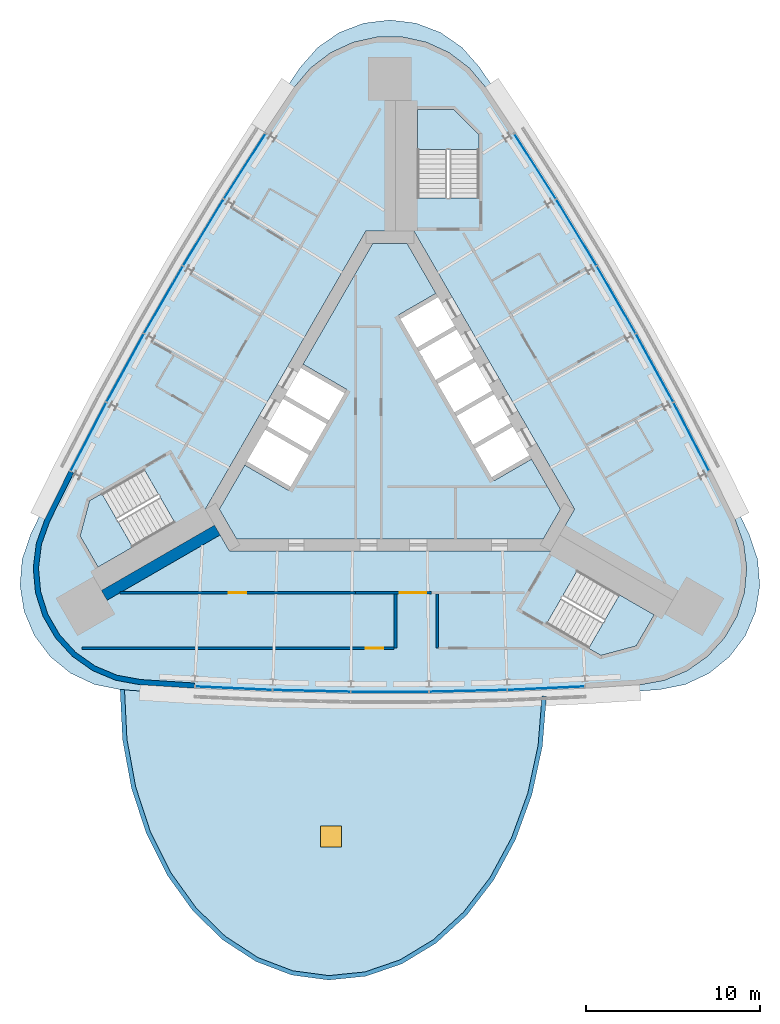
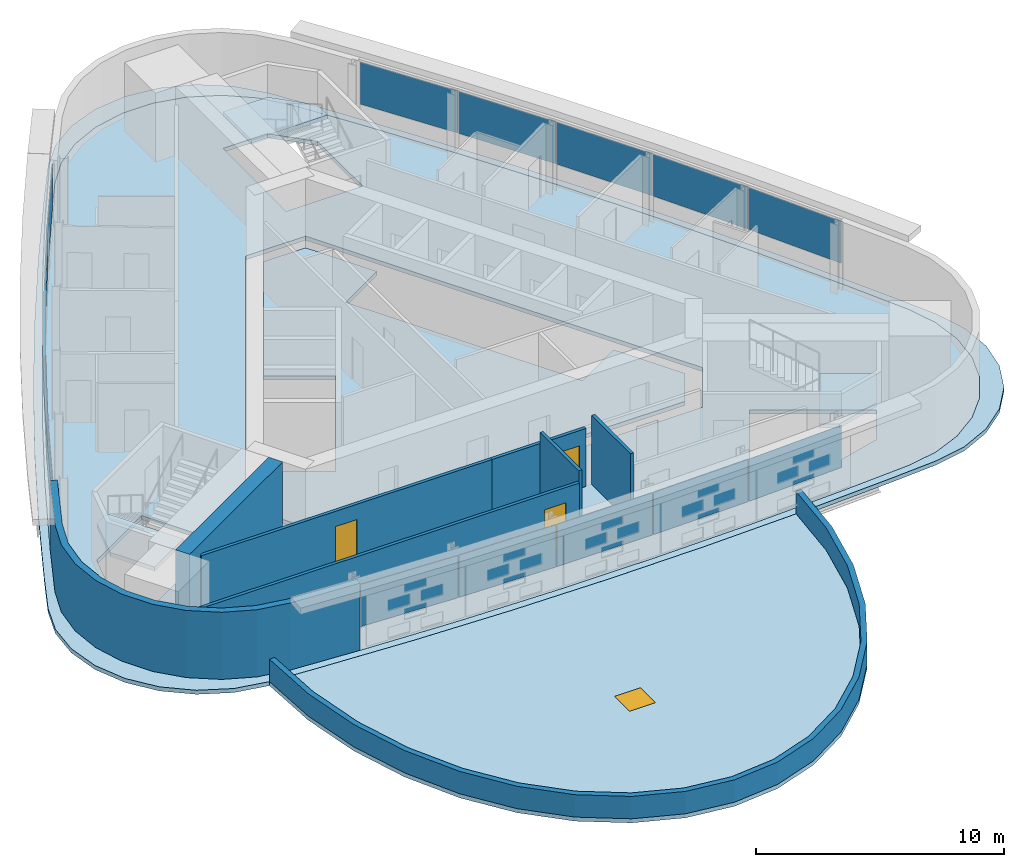
# One storey, part 5 of 9: 15 plates, 8 walls, 7 slabs, 3 doors, 1 window, 4 openings, 6 elements without a shape of their own.
"""IFC4 building model written with IfcOpenShell, lengths in metres."""

import ifcopenshell
import ifcopenshell.guid

model = None  # the IFC model being written
_history = None  # IfcOwnerHistory: only IFC2X3 demands one
_inside = {}  # id of a spatial element -> (the spatial element, [elements in it])
_under = {}  # id of a project, library or spatial element -> (it, [spatial elements below it])
_declared = {}  # id of a project -> (the project, [libraries it declares])
_typed = {}  # id of a type object -> (the type object, [elements of that type])
_made_of = {}  # id of a material, layer set ... -> (it, [elements and type objects made of it])


def new_model(schema):
    """Start an empty IFC model of exactly this schema.

    Asked for "IFC4X3", IfcOpenShell would pick the latest addendum, in which some entities
    have other attributes; the version numbers below select the first issue.
    IFC2X3 requires an IfcOwnerHistory on every rooted entity: one is made here for all.
    """
    global model, _history
    if schema == "IFC4X3":
        model = ifcopenshell.file(schema_version=(4, 3, 0, 0))
    else:
        model = ifcopenshell.file(schema=schema)
    _inside.clear()
    _under.clear()
    _declared.clear()
    _typed.clear()
    _made_of.clear()
    _history = None
    if model.schema == "IFC2X3":
        org = make("IfcOrganization", Name="unknown")
        user = make(
            "IfcPersonAndOrganization",
            ThePerson=make("IfcPerson", FamilyName="unknown"),
            TheOrganization=org,
        )
        app = make(
            "IfcApplication",
            ApplicationDeveloper=org,
            Version="unknown",
            ApplicationFullName="unknown",
            ApplicationIdentifier="unknown",
        )
        _history = make(
            "IfcOwnerHistory",
            OwningUser=user,
            OwningApplication=app,
            ChangeAction="ADDED",
            CreationDate=0,
        )
    return model


def make(cls, **values):
    """One entity of the class cls with the attributes given. An attribute that is None is left unset."""
    return model.create_entity(
        cls, **{name: value for name, value in values.items() if value is not None}
    )


def rooted(cls, **values):
    """An entity with a GlobalId (a new one), such as an element, a storey or a relation."""
    return make(cls, GlobalId=ifcopenshell.guid.new(), OwnerHistory=_history, **values)


def si_unit(unit_type, name, prefix=None):
    """IfcSIUnit, for example si_unit("LENGTHUNIT", "METRE", prefix="MILLI")."""
    return make("IfcSIUnit", UnitType=unit_type, Prefix=prefix, Name=name)


def assignment(units):
    """IfcUnitAssignment: the units of a project."""
    return None if units is None else make("IfcUnitAssignment", Units=units)


def point(xyz):
    """IfcCartesianPoint."""
    return None if xyz is None else make("IfcCartesianPoint", Coordinates=xyz)


def direction(xyz):
    """IfcDirection."""
    return None if xyz is None else make("IfcDirection", DirectionRatios=xyz)


def frame(location, z_axis=None, x_axis=None):
    """IfcAxis2Placement3D, a coordinate frame: its origin and axes. An axis left out is left unset."""
    return make(
        "IfcAxis2Placement3D",
        Location=point(location),
        Axis=direction(z_axis),
        RefDirection=direction(x_axis),
    )


def frame_2d(location, x_axis=None):
    """IfcAxis2Placement2D, a coordinate frame in the plane: its origin and x axis."""
    return make(
        "IfcAxis2Placement2D", Location=point(location), RefDirection=direction(x_axis)
    )


def origin():
    """The frame at (0, 0, 0) with its axes left unset."""
    return frame((0.0, 0.0, 0.0))


def origin_2d():
    """The frame at (0, 0) in the plane with its x axis left unset."""
    return frame_2d((0.0, 0.0))


def place(relative_to, where):
    """IfcLocalPlacement: puts the frame where relative to a parent placement (None: the world)."""
    return make(
        "IfcLocalPlacement", PlacementRelTo=relative_to, RelativePlacement=where
    )


def context(
    kind, dimensions, precision=None, world=None, true_north=None, identifier=None
):
    """IfcGeometricRepresentationContext, for example the 3D "Model" context."""
    return make(
        "IfcGeometricRepresentationContext",
        ContextIdentifier=identifier,
        ContextType=kind,
        CoordinateSpaceDimension=dimensions,
        Precision=precision,
        WorldCoordinateSystem=world,
        TrueNorth=true_north,
    )


def subcontext(parent, identifier, kind, view, scale=None):
    """IfcGeometricRepresentationSubContext, for example "Body" below "Model"."""
    return make(
        "IfcGeometricRepresentationSubContext",
        ContextIdentifier=identifier,
        ContextType=kind,
        ParentContext=parent,
        TargetScale=scale,
        TargetView=view,
    )


def project(units=None, contexts=None):
    """IfcProject with its units and contexts."""
    return rooted(
        "IfcProject",
        Name="project",
        RepresentationContexts=contexts,
        UnitsInContext=assignment(units),
    )


def spatial(cls, under=None, at=None, **own):
    """A site, building, storey or space (cls), placed at a placement, below another one or the project."""
    s = rooted(cls, ObjectPlacement=at, **own)
    if under is not None:
        _under.setdefault(under.id(), (under, []))[1].append(s)
    return s


def polyline(points):
    """IfcPolyline through the points."""
    return make("IfcPolyline", Points=[point(p) for p in points])


def profile(cls, at=None, kind="AREA", **sizes):
    """A parametric profile (cls). Its sizes go by their IFC names, for example OverallWidth=200.0."""
    return make(cls, ProfileType=kind, Position=at, **sizes)


def rectangle(**sizes):
    """IfcRectangleProfileDef."""
    return profile("IfcRectangleProfileDef", **sizes)


def outline(outer, holes=None, kind="AREA"):
    """IfcArbitraryClosedProfileDef: a profile drawn as a closed curve; with holes, ...WithVoids."""
    if holes is None:
        return make("IfcArbitraryClosedProfileDef", ProfileType=kind, OuterCurve=outer)
    return make(
        "IfcArbitraryProfileDefWithVoids",
        ProfileType=kind,
        OuterCurve=outer,
        InnerCurves=holes,
    )


def extrude(swept, where, along, depth):
    """IfcExtrudedAreaSolid: the profile swept, set in the frame where, extruded along a direction by depth."""
    return make(
        "IfcExtrudedAreaSolid",
        SweptArea=swept,
        Position=where,
        ExtrudedDirection=direction(along),
        Depth=depth,
    )


def shape(context_of_items, identifier, shape_type, items):
    """IfcShapeRepresentation: the items that make up one representation, for example the "Body"."""
    return make(
        "IfcShapeRepresentation",
        ContextOfItems=context_of_items,
        RepresentationIdentifier=identifier,
        RepresentationType=shape_type,
        Items=items,
    )


def material(Name=None, Category=None):
    """IfcMaterial."""
    return make("IfcMaterial", Name=Name, Category=Category)


def layer(
    of_material, thickness, ventilated=None, Name=None, Category=None, Priority=None
):
    """IfcMaterialLayer: one layer of a wall or slab, of a material (None: an air gap)."""
    return make(
        "IfcMaterialLayer",
        Material=of_material,
        LayerThickness=thickness,
        IsVentilated=ventilated,
        Name=Name,
        Category=Category,
        Priority=Priority,
    )


def layer_set(layers, Name=None):
    """IfcMaterialLayerSet."""
    return make("IfcMaterialLayerSet", MaterialLayers=layers, LayerSetName=Name)


def made_of(thing, what):
    """Note that an element or type object is made of a material, layer set ...; save() writes the relation."""
    if what is not None:
        _made_of.setdefault(what.id(), (what, []))[1].append(thing)
    return thing


def type_object(cls, material=None, **own):
    """A type object (cls), such as IfcWallType, which elements share."""
    return made_of(rooted(cls, **own), material)


def element(
    cls,
    number,
    at=None,
    inside=None,
    cuts=None,
    type_object=None,
    material=None,
    context=None,
    identifier="Body",
    shape_type=None,
    held_by="IfcProductDefinitionShape",
    body=None,
    shapes=None,
    **own,
):
    """One element of the class cls, such as IfcWall. Its Tag is "e" and its number.

    at: its placement. inside: the storey or other place that contains it. cuts: it is an
    opening in that element (IfcRelVoidsElement). A single representation is given by context,
    identifier, shape_type and body (its items); several are given by shapes. held_by: the class
    of the entity that holds the representations. save() writes the other relations.
    """
    e = rooted(cls, Tag="e%d" % number, ObjectPlacement=at, **own)
    if body is not None:
        shapes = [shape(context, identifier, shape_type, body)]
    if shapes is not None:
        e.Representation = make(held_by, Representations=shapes)
    if inside is not None:
        _inside.setdefault(inside.id(), (inside, []))[1].append(e)
    if cuts is not None:
        rooted(
            "IfcRelVoidsElement", RelatingBuildingElement=cuts, RelatedOpeningElement=e
        )
    if type_object is not None:
        _typed.setdefault(type_object.id(), (type_object, []))[1].append(e)
    return made_of(e, material)


def fill(opening, filler):
    """IfcRelFillsElement: the door or window that sits in an opening."""
    return rooted(
        "IfcRelFillsElement",
        RelatingOpeningElement=opening,
        RelatedBuildingElement=filler,
    )


def aggregate(whole, parts):
    """IfcRelAggregates: a whole, such as a stair, and the parts it consists of."""
    return rooted("IfcRelAggregates", RelatingObject=whole, RelatedObjects=parts)


def save(model, path):
    """Write the relations noted so far, then the file.

    IfcRelAggregates (storeys below a building ...), IfcRelContainedInSpatialStructure (elements
    in a storey), IfcRelDefinesByType, IfcRelAssociatesMaterial and IfcRelDeclares: one each for
    every whole, place, type object, material and project.
    """
    for whole, parts in _under.values():
        aggregate(whole, parts)
    for where, things in _inside.values():
        rooted(
            "IfcRelContainedInSpatialStructure",
            RelatedElements=things,
            RelatingStructure=where,
        )
    for kind, things in _typed.values():
        rooted("IfcRelDefinesByType", RelatedObjects=things, RelatingType=kind)
    for what, things in _made_of.values():
        rooted("IfcRelAssociatesMaterial", RelatedObjects=things, RelatingMaterial=what)
    for by, libraries in _declared.values():
        rooted("IfcRelDeclares", RelatingContext=by, RelatedDefinitions=libraries)
    model.write(path)


model = new_model("IFC4")

# Units and contexts
model_context = context("Model", 3, precision=1e-05, world=origin(), true_north=direction((0.0, 1.0)))
body_context = subcontext(model_context, "Body", "Model", "MODEL_VIEW")
ifc_project = project(units=[si_unit("LENGTHUNIT", "METRE"), si_unit("AREAUNIT", "SQUARE_METRE"), si_unit("VOLUMEUNIT", "CUBIC_METRE"), si_unit("PLANEANGLEUNIT", "RADIAN"), si_unit("MASSUNIT", "GRAM", prefix="KILO")], contexts=[model_context])

# Site, building, storey
site_placement = place(None, origin())
site = spatial("IfcSite", under=ifc_project, at=site_placement, CompositionType="ELEMENT")
building_placement = place(site_placement, origin())
building = spatial("IfcBuilding", under=site, at=building_placement, Name="Noor Cloister Tower", CompositionType="ELEMENT")
storey_placement = place(building_placement, frame((0.0, 0.0, 229.199951171875)))
storey = spatial("IfcBuildingStorey", under=building, at=storey_placement, Name="L59", CompositionType="ELEMENT", Elevation=229.199951171875)

# Slabs
ifc_material_1 = material(Name="Concrete C40/50", Category="concrete")
ifc_layer_1 = layer(ifc_material_1, 0.199951171875)
ifc_layer_set_1 = layer_set([ifc_layer_1], Name="Core floor slab 200 C40/50")
slab_type_1 = type_object("IfcSlabType", Name="Core floor slab 200 C40/50", PredefinedType="FLOOR", material=ifc_layer_set_1)
slab_1_placement = place(storey_placement, frame((0.0, 0.0, -0.199951171875)))
element("IfcSlab", 1, at=slab_1_placement, inside=storey, type_object=slab_type_1, Name="Core floor L59", PredefinedType="FLOOR", context=body_context, shape_type="SweptSolid", body=[
    extrude(outline(polyline([(2.643798828125, 7.877197265625), (0.9814453125, 10.75634765625), (-0.9814453125, 10.75634765625), (-4.993896484375, 3.806884765625), (-2.482421875, 2.35693359375), (-5.832275390625, -3.4453125), (-8.34375, -1.995361328125), (-9.80615234375, -4.5283203125), (-8.82470703125, -6.228271484375), (8.82470703125, -6.228271484375), (9.80615234375, -4.5283203125), (8.143798828125, -1.64892578125), (5.978759765625, -2.89892578125), (0.478759765625, 6.627197265625), (2.643798828125, 7.877197265625)])), origin(), (0.0, 0.0, 1.0), 0.199951171875),
])
ifc_material_2 = material(Name="Concrete C40/50", Category="concrete")
ifc_layer_2 = layer(ifc_material_2, 0.199951171875)
ifc_layer_set_2 = layer_set([ifc_layer_2], Name="Floor slab 200 C40/50")
slab_type_2 = type_object("IfcSlabType", Name="Floor slab 200 C40/50", PredefinedType="FLOOR", material=ifc_layer_set_2)
slab_2_placement = place(storey_placement, frame((0.0, 0.0, -0.199951171875)))
element("IfcSlab", 2, at=slab_2_placement, inside=storey, type_object=slab_type_2, Name="Floor slab L59", PredefinedType="FLOOR", context=body_context, shape_type="SweptSolid", body=[
    extrude(outline(polyline([(5.47802734375, 19.7490234375), (4.55126953125, 20.839599609375), (3.412109375, 21.70556640625), (2.113037109375, 22.306396484375), (0.715576171875, 22.614013671875), (-0.715576171875, 22.614013671875), (-2.113037109375, 22.306396484375), (-3.412109375, 21.70556640625), (-4.55126953125, 20.839599609375), (-5.47802734375, 19.7490234375), (-7.212646484375, 17.147705078125), (-9.63671875, 13.3564453125), (-11.974365234375, 9.511474609375), (-14.224365234375, 5.6142578125), (-16.385498046875, 1.66748046875), (-18.45654296875, -2.32763671875), (-19.842041015625, -5.13037109375), (-20.3232421875, -6.478271484375), (-20.503662109375, -7.89794921875), (-20.37451171875, -9.3232421875), (-19.942138671875, -10.687255859375), (-19.2265625, -11.9267578125), (-18.26123046875, -12.983154296875), (-17.091552734375, -13.8076171875), (-15.77197265625, -14.361328125), (-14.3642578125, -14.61865234375), (-11.243896484375, -14.820068359375), (-6.748779296875, -15.02392578125), (-2.25, -15.125732421875), (2.25, -15.125732421875), (6.748779296875, -15.02392578125), (11.243896484375, -14.820068359375), (14.3642578125, -14.61865234375), (15.77197265625, -14.361328125), (17.091552734375, -13.8076171875), (18.26123046875, -12.983154296875), (19.2265625, -11.9267578125), (19.942138671875, -10.687255859375), (20.37451171875, -9.3232421875), (20.503662109375, -7.89794921875), (20.3232421875, -6.478271484375), (19.842041015625, -5.13037109375), (18.45654296875, -2.32763671875), (16.385498046875, 1.66748046875), (14.224365234375, 5.6142578125), (11.974365234375, 9.511474609375), (9.63671875, 13.3564453125), (7.212646484375, 17.147705078125), (5.47802734375, 19.7490234375)]), holes=[polyline([(8.999755859375, -11.126220703125), (12.131591796875, -12.934326171875), (14.1572265625, -12.3916015625), (15.19091796875, -10.601318359375), (10.774658203125, -8.0517578125), (8.999755859375, -11.126220703125)]), polyline([(-17.81005859375, -6.064697265625), (-16.776611328125, -7.85498046875), (-12.3603515625, -5.305419921875), (-14.13525390625, -2.23095703125), (-16.662841796875, -3.690185546875), (-17.267333984375, -4.039306640625), (-17.81005859375, -6.064697265625)]), polyline([(-10.6142578125, -4.5283203125), (-9.228759765625, -6.92822265625), (9.228759765625, -6.92822265625), (10.6142578125, -4.5283203125), (1.3857421875, 11.456298828125), (-1.3857421875, 11.456298828125), (-10.6142578125, -4.5283203125)]), polyline([(3.65283203125, 18.456298828125), (1.585693359375, 18.456298828125), (1.585693359375, 13.35693359375), (5.135498046875, 13.35693359375), (5.135498046875, 16.9736328125), (3.65283203125, 18.456298828125)])]), origin(), (0.0, 0.0, 1.0), 0.199951171875),
])

# Curtain wall, plates
ifc_material_3 = material(Name="Aluminium 6063-T6 anodised", Category="aluminium")
curtain_wall_type = type_object("IfcCurtainWallType", Name="Ribbon curtain wall, upper tower CW5", PredefinedType="NOTDEFINED", material=ifc_material_3)
curtain_wall_1_placement = place(storey_placement, origin())
curtain_wall_1 = element("IfcCurtainWall", 3, at=curtain_wall_1_placement, inside=storey, type_object=curtain_wall_type, Name="CW5 L59 NW run 1", PredefinedType="NOTDEFINED")
ifc_material_4 = material(Name="Clear laminated glass 2 x 8 mm", Category="glass")
ifc_layer_3 = layer(ifc_material_4, 0.028076171875)
ifc_layer_set_3 = layer_set([ifc_layer_3], Name="Glass panel CW5")
plate_type = type_object("IfcPlateType", Name="Glass panel CW5", PredefinedType="CURTAIN_PANEL", material=ifc_layer_set_3)
plate_1_placement = place(storey_placement, frame((-8.349609375, 15.183837890625, 1.08984375), z_axis=(0.0, 0.0, 1.0), x_axis=(-0.538705499547, -0.842494145237, 0.0)))
plate_1 = element("IfcPlate", 4, at=plate_1_placement, type_object=plate_type, Name="CW5 glass panel 1", PredefinedType="CURTAIN_PANEL", context=body_context, shape_type="SweptSolid", body=[
    extrude(rectangle(XDim=4.413818359375, YDim=0.028076171875, at=origin_2d()), origin(), (0.0, 0.0, 1.0), 2.070068359375),
])
plate_2_placement = place(storey_placement, frame((-10.719970703125, 11.382080078125, 1.08984375), z_axis=(0.0, 0.0, 1.0), x_axis=(-0.519486004363, -0.85447895894, 0.0)))
plate_2 = element("IfcPlate", 5, at=plate_2_placement, type_object=plate_type, Name="CW5 glass panel 2", PredefinedType="CURTAIN_PANEL", context=body_context, shape_type="SweptSolid", body=[
    extrude(rectangle(XDim=4.44775390625, YDim=0.028076171875, at=origin_2d()), origin(), (0.0, 0.0, 1.0), 2.070068359375),
])
plate_3_placement = place(storey_placement, frame((-13.0126953125, 7.512939453125, 1.08984375), z_axis=(0.0, 0.0, 1.0), x_axis=(-0.5, -0.866025403784, 0.0)))
plate_3 = element("IfcPlate", 6, at=plate_3_placement, type_object=plate_type, Name="CW5 glass panel 3", PredefinedType="CURTAIN_PANEL", context=body_context, shape_type="SweptSolid", body=[
    extrude(rectangle(XDim=4.44775390625, YDim=0.028076171875, at=origin_2d()), origin(), (0.0, 0.0, 1.0), 2.070068359375),
])
plate_4_placement = place(storey_placement, frame((-15.217041015625, 3.5927734375, 1.08984375), z_axis=(0.0, 0.0, 1.0), x_axis=(-0.480257483259, -0.877127556159, 0.0)))
plate_4 = element("IfcPlate", 7, at=plate_4_placement, type_object=plate_type, Name="CW5 glass panel 4", PredefinedType="CURTAIN_PANEL", context=body_context, shape_type="SweptSolid", body=[
    extrude(rectangle(XDim=4.44775390625, YDim=0.028076171875, at=origin_2d()), origin(), (0.0, 0.0, 1.0), 2.070068359375),
])
plate_5_placement = place(storey_placement, frame((-17.324462890625, -0.361083984375, 1.08984375), z_axis=(0.0, 0.0, 1.0), x_axis=(-0.460268582541, -0.887779720384, 0.0)))
plate_5 = element("IfcPlate", 8, at=plate_5_placement, type_object=plate_type, Name="CW5 glass panel 5", PredefinedType="CURTAIN_PANEL", context=body_context, shape_type="SweptSolid", body=[
    extrude(rectangle(XDim=4.413818359375, YDim=0.028076171875, at=origin_2d()), origin(), (0.0, 0.0, 1.0), 2.070068359375),
])
aggregate(curtain_wall_1, [plate_1, plate_2, plate_3, plate_4, plate_5])

curtain_wall_2_placement = place(storey_placement, origin())
curtain_wall_2 = element("IfcCurtainWall", 9, at=curtain_wall_2_placement, inside=storey, type_object=curtain_wall_type, Name="CW5 L59 S run 2", PredefinedType="NOTDEFINED")
plate_6_placement = place(storey_placement, frame((-8.974853515625, -14.82275390625, 1.08984375), z_axis=(0.0, 0.0, 1.0), x_axis=(0.998974082088, -0.045285575148, 0.0)))
plate_6 = element("IfcPlate", 10, at=plate_6_placement, type_object=plate_type, Name="CW5 glass panel 1", PredefinedType="CURTAIN_PANEL", context=body_context, shape_type="SweptSolid", body=[
    extrude(rectangle(XDim=4.413818359375, YDim=0.028076171875, at=origin_2d()), origin(), (0.0, 0.0, 1.0), 2.070068359375),
])
plate_7_placement = place(storey_placement, frame((-4.4970703125, -14.974853515625, 1.08984375), z_axis=(0.0, 0.0, 1.0), x_axis=(0.999743487623, -0.022648597219, 0.0)))
plate_7 = element("IfcPlate", 11, at=plate_7_placement, type_object=plate_type, Name="CW5 glass panel 2", PredefinedType="CURTAIN_PANEL", context=body_context, shape_type="SweptSolid", body=[
    extrude(rectangle(XDim=4.44775390625, YDim=0.028076171875, at=origin_2d()), origin(), (0.0, 0.0, 1.0), 2.070068359375),
])
plate_8_placement = place(storey_placement, frame((0.0, -15.02587890625, 1.08984375), z_axis=(0.0, 0.0, 1.0), x_axis=(1.0, 0.0, 0.0)))
plate_8 = element("IfcPlate", 12, at=plate_8_placement, type_object=plate_type, Name="CW5 glass panel 3", PredefinedType="CURTAIN_PANEL", context=body_context, shape_type="SweptSolid", body=[
    extrude(rectangle(XDim=4.44775390625, YDim=0.028076171875, at=origin_2d()), origin(), (0.0, 0.0, 1.0), 2.070068359375),
])
plate_9_placement = place(storey_placement, frame((4.4970703125, -14.974853515625, 1.08984375), z_axis=(0.0, 0.0, 1.0), x_axis=(0.999743487623, 0.022648597219, 0.0)))
plate_9 = element("IfcPlate", 13, at=plate_9_placement, type_object=plate_type, Name="CW5 glass panel 4", PredefinedType="CURTAIN_PANEL", context=body_context, shape_type="SweptSolid", body=[
    extrude(rectangle(XDim=4.44775390625, YDim=0.028076171875, at=origin_2d()), origin(), (0.0, 0.0, 1.0), 2.070068359375),
])
plate_10_placement = place(storey_placement, frame((8.974853515625, -14.82275390625, 1.08984375), z_axis=(0.0, 0.0, 1.0), x_axis=(0.998974082088, 0.045285575148, 0.0)))
plate_10 = element("IfcPlate", 14, at=plate_10_placement, type_object=plate_type, Name="CW5 glass panel 5", PredefinedType="CURTAIN_PANEL", context=body_context, shape_type="SweptSolid", body=[
    extrude(rectangle(XDim=4.413818359375, YDim=0.028076171875, at=origin_2d()), origin(), (0.0, 0.0, 1.0), 2.070068359375),
])
aggregate(curtain_wall_2, [plate_6, plate_7, plate_8, plate_9, plate_10])

curtain_wall_3_placement = place(storey_placement, origin())
curtain_wall_3 = element("IfcCurtainWall", 15, at=curtain_wall_3_placement, inside=storey, type_object=curtain_wall_type, Name="CW5 L59 NE run 3", PredefinedType="NOTDEFINED")
plate_11_placement = place(storey_placement, frame((17.324462890625, -0.361083984375, 1.08984375), z_axis=(0.0, 0.0, 1.0), x_axis=(-0.460268582541, 0.887779720384, 0.0)))
plate_11 = element("IfcPlate", 16, at=plate_11_placement, type_object=plate_type, Name="CW5 glass panel 1", PredefinedType="CURTAIN_PANEL", context=body_context, shape_type="SweptSolid", body=[
    extrude(rectangle(XDim=4.413818359375, YDim=0.028076171875, at=origin_2d()), origin(), (0.0, 0.0, 1.0), 2.070068359375),
])
plate_12_placement = place(storey_placement, frame((15.217041015625, 3.5927734375, 1.08984375), z_axis=(0.0, 0.0, 1.0), x_axis=(-0.480257483259, 0.877127556159, 0.0)))
plate_12 = element("IfcPlate", 17, at=plate_12_placement, type_object=plate_type, Name="CW5 glass panel 2", PredefinedType="CURTAIN_PANEL", context=body_context, shape_type="SweptSolid", body=[
    extrude(rectangle(XDim=4.44775390625, YDim=0.028076171875, at=origin_2d()), origin(), (0.0, 0.0, 1.0), 2.070068359375),
])
plate_13_placement = place(storey_placement, frame((13.0126953125, 7.512939453125, 1.08984375), z_axis=(0.0, 0.0, 1.0), x_axis=(-0.5, 0.866025403784, 0.0)))
plate_13 = element("IfcPlate", 18, at=plate_13_placement, type_object=plate_type, Name="CW5 glass panel 3", PredefinedType="CURTAIN_PANEL", context=body_context, shape_type="SweptSolid", body=[
    extrude(rectangle(XDim=4.44775390625, YDim=0.028076171875, at=origin_2d()), origin(), (0.0, 0.0, 1.0), 2.070068359375),
])
plate_14_placement = place(storey_placement, frame((10.719970703125, 11.382080078125, 1.08984375), z_axis=(0.0, 0.0, 1.0), x_axis=(-0.519486004363, 0.85447895894, 0.0)))
plate_14 = element("IfcPlate", 19, at=plate_14_placement, type_object=plate_type, Name="CW5 glass panel 4", PredefinedType="CURTAIN_PANEL", context=body_context, shape_type="SweptSolid", body=[
    extrude(rectangle(XDim=4.44775390625, YDim=0.028076171875, at=origin_2d()), origin(), (0.0, 0.0, 1.0), 2.070068359375),
])
plate_15_placement = place(storey_placement, frame((8.349609375, 15.183837890625, 1.08984375), z_axis=(0.0, 0.0, 1.0), x_axis=(-0.538705499547, 0.842494145237, 0.0)))
plate_15 = element("IfcPlate", 20, at=plate_15_placement, type_object=plate_type, Name="CW5 glass panel 5", PredefinedType="CURTAIN_PANEL", context=body_context, shape_type="SweptSolid", body=[
    extrude(rectangle(XDim=4.413818359375, YDim=0.028076171875, at=origin_2d()), origin(), (0.0, 0.0, 1.0), 2.070068359375),
])
aggregate(curtain_wall_3, [plate_11, plate_12, plate_13, plate_14, plate_15])

# Slab
ifc_material_5 = material(Name="Concrete C40/50", Category="concrete")
ifc_layer_4 = layer(ifc_material_5, 0.199951171875)
ifc_layer_set_4 = layer_set([ifc_layer_4], Name="Ledge roof 200 C40/50")
slab_type_3 = type_object("IfcSlabType", Name="Ledge roof 200 C40/50", PredefinedType="ROOF", material=ifc_layer_set_4)
slab_3_placement = place(storey_placement, frame((0.0, 0.0, -0.199951171875)))
element("IfcSlab", 21, at=slab_3_placement, inside=storey, type_object=slab_type_3, Name="Ledge roof L59", PredefinedType="ROOF", context=body_context, shape_type="SweptSolid", body=[
    extrude(outline(polyline([(6.2822265625, 19.2041015625), (5.148681640625, 20.87890625), (4.1513671875, 22.012939453125), (2.91064453125, 22.874267578125), (1.499267578125, 23.412109375), (0.0, 23.5947265625), (-1.499267578125, 23.412109375), (-2.91064453125, 22.874267578125), (-4.1513671875, 22.012939453125), (-5.148681640625, 20.87890625), (-6.2822265625, 19.2041015625), (-8.744140625, 15.437255859375), (-11.122314453125, 11.6171875), (-13.415283203125, 7.745361328125), (-15.621826171875, 3.823486328125), (-17.7412109375, -0.14599609375), (-19.772216796875, -4.16162109375), (-20.65576171875, -5.98046875), (-21.139404296875, -7.411376953125), (-21.264892578125, -8.91650390625), (-21.02490234375, -10.40771484375), (-20.433837890625, -11.79736328125), (-19.52587890625, -13.00439453125), (-18.354248046875, -13.957763671875), (-16.988037109375, -14.6015625), (-15.50732421875, -14.898193359375), (-13.489990234375, -15.04248046875), (-8.9970703125, -15.291259765625), (-4.49951171875, -15.440673828125), (0.0, -15.490478515625), (4.49951171875, -15.440673828125), (8.9970703125, -15.291259765625), (13.489990234375, -15.04248046875), (15.50732421875, -14.898193359375), (16.988037109375, -14.6015625), (18.354248046875, -13.957763671875), (19.52587890625, -13.00439453125), (20.433837890625, -11.79736328125), (21.02490234375, -10.40771484375), (21.264892578125, -8.91650390625), (21.139404296875, -7.411376953125), (20.65576171875, -5.98046875), (19.772216796875, -4.16162109375), (17.7412109375, -0.14599609375), (15.621826171875, 3.823486328125), (13.415283203125, 7.745361328125), (11.122314453125, 11.6171875), (8.744140625, 15.437255859375), (6.2822265625, 19.2041015625)]), holes=[polyline([(3.412109375, 21.70556640625), (2.113037109375, 22.306396484375), (0.715576171875, 22.614013671875), (-0.715576171875, 22.614013671875), (-2.113037109375, 22.306396484375), (-3.412109375, 21.70556640625), (-4.55126953125, 20.839599609375), (-5.47802734375, 19.7490234375), (-7.212646484375, 17.147705078125), (-9.63671875, 13.3564453125), (-11.974365234375, 9.511474609375), (-14.224365234375, 5.6142578125), (-16.385498046875, 1.66748046875), (-18.45654296875, -2.32763671875), (-19.842041015625, -5.13037109375), (-20.3232421875, -6.478271484375), (-20.503662109375, -7.89794921875), (-20.37451171875, -9.3232421875), (-19.942138671875, -10.687255859375), (-19.2265625, -11.9267578125), (-18.26123046875, -12.983154296875), (-17.091552734375, -13.8076171875), (-15.77197265625, -14.361328125), (-14.3642578125, -14.61865234375), (-11.243896484375, -14.820068359375), (-6.748779296875, -15.02392578125), (-2.25, -15.125732421875), (2.25, -15.125732421875), (6.748779296875, -15.02392578125), (11.243896484375, -14.820068359375), (14.3642578125, -14.61865234375), (15.77197265625, -14.361328125), (17.091552734375, -13.8076171875), (18.26123046875, -12.983154296875), (19.2265625, -11.9267578125), (19.942138671875, -10.687255859375), (20.37451171875, -9.3232421875), (20.503662109375, -7.89794921875), (20.3232421875, -6.478271484375), (19.842041015625, -5.13037109375), (18.45654296875, -2.32763671875), (16.385498046875, 1.66748046875), (14.224365234375, 5.6142578125), (11.974365234375, 9.511474609375), (9.63671875, 13.3564453125), (7.212646484375, 17.147705078125), (5.47802734375, 19.7490234375), (4.55126953125, 20.839599609375), (3.412109375, 21.70556640625)])]), origin(), (0.0, 0.0, 1.0), 0.199951171875),
])

# Slab, opening, window
ifc_material_6 = material(Name="Concrete C40/50", Category="concrete")
ifc_layer_5 = layer(ifc_material_6, 0.199951171875)
ifc_layer_set_5 = layer_set([ifc_layer_5], Name="Pod roof slab 200")
slab_type_4 = type_object("IfcSlabType", Name="Pod roof slab 200", PredefinedType="ROOF", material=ifc_layer_set_5)
slab_4_placement = place(storey_placement, frame((0.0, 0.0, -0.199951171875)))
slab_4 = element("IfcSlab", 22, at=slab_4_placement, inside=storey, type_object=slab_type_4, Name="Pod roof slab 4", PredefinedType="ROOF", context=body_context, shape_type="SweptSolid", body=[
    extrude(outline(polyline([(-15.50732421875, -14.898193359375), (-15.366943359375, -17.76611328125), (-14.85888671875, -20.552734375), (-13.998046875, -23.173583984375), (-12.810791015625, -25.548828125), (-11.333251953125, -27.6064453125), (-9.6103515625, -29.2841796875), (-7.6943359375, -30.530517578125), (-5.643310546875, -31.307861328125), (-3.519775390625, -31.5927734375), (-1.38818359375, -31.376220703125), (0.686767578125, -30.6650390625), (2.641845703125, -29.480712890625), (4.417724609375, -27.859130859375), (5.96044921875, -25.85009765625), (7.22314453125, -23.513916015625), (8.167724609375, -20.922119140625), (8.764892578125, -18.153076171875), (8.9970703125, -15.291259765625), (4.49951171875, -15.440673828125), (0.0, -15.490478515625), (-4.49951171875, -15.440673828125), (-8.9970703125, -15.291259765625), (-13.489990234375, -15.04248046875), (-15.50732421875, -14.898193359375)])), origin(), (0.0, 0.0, 1.0), 0.199951171875),
])
opening_1_placement = place(slab_4_placement, frame((-3.387451171875, -23.34375, 0.0)))
opening_1 = element("IfcOpeningElement", 23, at=opening_1_placement, cuts=slab_4, Name="Opening RH4", PredefinedType="OPENING", context=body_context, shape_type="SweptSolid", body=[
    extrude(rectangle(XDim=1.199951171875, YDim=1.199951171875, at=origin_2d()), origin(), (0.0, 0.0, 1.0), 0.199951171875),
])
ifc_material_7 = material(Name="Aluminium 6063-T6 anodised", Category="aluminium")
window_type = type_object("IfcWindowType", Name="Roof access hatch", PartitioningType="SINGLE_PANEL", PredefinedType="SKYLIGHT", material=ifc_material_7)
window_placement = place(opening_1_placement, frame((0.0, 0.0, 0.14990234375)))
window = element("IfcWindow", 24, at=window_placement, inside=storey, type_object=window_type, Name="Sky bar 4 roof access hatch", OverallHeight=1.199951171875, OverallWidth=1.199951171875, PartitioningType="SINGLE_PANEL", PredefinedType="SKYLIGHT", context=body_context, shape_type="SweptSolid", body=[
    extrude(rectangle(XDim=1.199951171875, YDim=1.199951171875, at=origin_2d()), origin(), (0.0, 0.0, 1.0), 0.050048828125),
])
fill(opening_1, window)

# Stair, slab
ifc_material_8 = material(Name="Concrete C40/50", Category="concrete")
stair_type = type_object("IfcStairType", Name="Exit stair 22 risers", PredefinedType="HALF_TURN_STAIR", material=ifc_material_8)
stair_1_placement = place(storey_placement, origin())
stair_1 = element("IfcStair", 25, at=stair_1_placement, inside=storey, type_object=stair_type, Name="Exit stair ST1 L59", PredefinedType="HALF_TURN_STAIR")
ifc_material_9 = material(Name="Concrete C40/50", Category="concrete")
ifc_layer_6 = layer(ifc_material_9, 0.199951171875)
ifc_layer_set_6 = layer_set([ifc_layer_6], Name="Stair landing 200 C40/50")
slab_type_5 = type_object("IfcSlabType", Name="Stair landing 200 C40/50", PredefinedType="LANDING", material=ifc_layer_set_6)
slab_5_placement = place(storey_placement, frame((0.0, 0.0, 1.60009765625)))
slab_5 = element("IfcSlab", 26, at=slab_5_placement, type_object=slab_type_5, Name="ST1 landing 1", PredefinedType="LANDING", context=body_context, shape_type="SweptSolid", body=[
    extrude(outline(polyline([(5.135498046875, 16.15576171875), (5.135498046875, 16.9736328125), (3.65283203125, 18.456298828125), (1.585693359375, 18.456298828125), (1.585693359375, 16.15576171875), (5.135498046875, 16.15576171875)])), origin(), (0.0, 0.0, 1.0), 0.199951171875),
])
aggregate(stair_1, [slab_5])

stair_2_placement = place(storey_placement, origin())
stair_2 = element("IfcStair", 27, at=stair_2_placement, inside=storey, type_object=stair_type, Name="Exit stair ST2 L59", PredefinedType="HALF_TURN_STAIR")
slab_6_placement = place(storey_placement, frame((0.0, 0.0, 1.60009765625)))
slab_6 = element("IfcSlab", 28, at=slab_6_placement, type_object=slab_type_5, Name="ST2 landing 1", PredefinedType="LANDING", context=body_context, shape_type="SweptSolid", body=[
    extrude(outline(polyline([(-16.55908203125, -3.63037109375), (-17.267333984375, -4.039306640625), (-17.81005859375, -6.064697265625), (-16.776611328125, -7.85498046875), (-14.7841796875, -6.70458984375), (-16.55908203125, -3.63037109375)])), origin(), (0.0, 0.0, 1.0), 0.199951171875),
])
aggregate(stair_2, [slab_6])

stair_3_placement = place(storey_placement, origin())
stair_3 = element("IfcStair", 29, at=stair_3_placement, inside=storey, type_object=stair_type, Name="Exit stair ST3 L59", PredefinedType="HALF_TURN_STAIR")
slab_7_placement = place(storey_placement, frame((0.0, 0.0, 1.60009765625)))
slab_7 = element("IfcSlab", 30, at=slab_7_placement, type_object=slab_type_5, Name="ST3 landing 1", PredefinedType="LANDING", context=body_context, shape_type="SweptSolid", body=[
    extrude(outline(polyline([(11.423583984375, -12.525390625), (12.131591796875, -12.934326171875), (14.1572265625, -12.3916015625), (15.19091796875, -10.601318359375), (13.198486328125, -9.451171875), (11.423583984375, -12.525390625)])), origin(), (0.0, 0.0, 1.0), 0.199951171875),
])
aggregate(stair_3, [slab_7])

# Wall
ifc_material_10 = material(Name="Concrete C60/75", Category="concrete")
ifc_layer_7 = layer(ifc_material_10, 0.64990234375)
ifc_layer_set_7 = layer_set([ifc_layer_7], Name="Buttress wall 650 C60/75")
wall_type_1 = type_object("IfcWallType", Name="Buttress wall 650 C60/75", PredefinedType="SHEAR", material=ifc_layer_set_7)
wall_1_placement = place(storey_placement, frame((-9.921630859375, -5.728271484375, -0.199951171875), z_axis=(0.0, 0.0, 1.0), x_axis=(-0.866026891245, -0.499997423634, 0.0)))
element("IfcWall", 31, at=wall_1_placement, inside=storey, type_object=wall_type_1, Name="Buttress wall SW L59", PredefinedType="SHEAR", context=body_context, shape_type="SweptSolid", body=[
    extrude(rectangle(XDim=7.50634765625, YDim=0.64990234375, at=frame_2d((3.753173828125, 0.0))), origin(), (0.0, 0.0, 1.0), 3.60009765625),
])

# Wall, opening, door
ifc_material_11 = material(Name="Gypsum board partition on steel studs, 150 mm", Category="steel")
ifc_layer_8 = layer(ifc_material_11, 0.14990234375)
ifc_layer_set_8 = layer_set([ifc_layer_8], Name="Flat wall 150")
wall_type_2 = type_object("IfcWallType", Name="Flat wall 150", PredefinedType="PARTITIONING", material=ifc_layer_set_8)
wall_2_placement = place(storey_placement, frame((-15.5068359375, -9.328125, 0.0), z_axis=(0.0, 0.0, 1.0), x_axis=(1.0, 0.0, 0.0)))
wall_2 = element("IfcWall", 32, at=wall_2_placement, inside=storey, type_object=wall_type_2, Name="Wall L59-W11", PredefinedType="PARTITIONING", context=body_context, shape_type="SweptSolid", body=[
    extrude(rectangle(XDim=13.5224609375, YDim=0.14990234375, at=frame_2d((6.76123046875, 0.0))), origin(), (0.0, 0.0, 1.0), 2.85205078125),
])
opening_2_placement = place(wall_2_placement, frame((6.236328125, 0.0, 0.0)))
opening_2 = element("IfcOpeningElement", 33, at=opening_2_placement, cuts=wall_2, Name="Opening L59-009", PredefinedType="OPENING", context=body_context, shape_type="SweptSolid", body=[
    extrude(rectangle(XDim=1.0, YDim=2.10009765625, at=frame_2d((0.5, 1.050048828125))), frame((0.0, 0.0849609375, 0.0), z_axis=(0.0, -1.0, 0.0), x_axis=(1.0, 0.0, 0.0)), (0.0, 0.0, 1.0), 0.169921875),
])
ifc_material_12 = material(Name="Timber door leaf with steel frame", Category="steel")
door_type_1 = type_object("IfcDoorType", Name="Interior door 1000 FD60", OperationType="NOTDEFINED", PredefinedType="DOOR", material=ifc_material_12)
door_1_placement = place(opening_2_placement, origin())
door_1 = element("IfcDoor", 34, at=door_1_placement, inside=storey, type_object=door_type_1, Name="Door L59-009", OperationType="SINGLE_SWING_LEFT", OverallHeight=2.10009765625, OverallWidth=1.0, PredefinedType="DOOR", context=body_context, shape_type="SweptSolid", body=[
    extrude(rectangle(XDim=1.0, YDim=2.10009765625, at=frame_2d((0.5, 1.050048828125))), frame((0.0, 0.02490234375, 0.0), z_axis=(0.0, -1.0, 0.0), x_axis=(1.0, 0.0, 0.0)), (0.0, 0.0, 1.0), 0.050048828125),
])
fill(opening_2, door_1)

wall_3_placement = place(storey_placement, frame((-1.984375, -9.328125, 0.0), z_axis=(0.0, 0.0, 1.0), x_axis=(1.0, 0.0, 0.0)))
wall_3 = element("IfcWall", 35, at=wall_3_placement, inside=storey, type_object=wall_type_2, Name="Wall L59-W13", PredefinedType="PARTITIONING", context=body_context, shape_type="SweptSolid", body=[
    extrude(rectangle(XDim=4.36865234375, YDim=0.14990234375, at=frame_2d((2.184326171875, 0.0))), origin(), (0.0, 0.0, 1.0), 2.85205078125),
])
opening_3_placement = place(wall_3_placement, frame((2.5625, 0.0, 0.0)))
opening_3 = element("IfcOpeningElement", 36, at=opening_3_placement, cuts=wall_3, Name="Opening L59-007", PredefinedType="OPENING", context=body_context, shape_type="SweptSolid", body=[
    extrude(rectangle(XDim=1.5, YDim=2.10009765625, at=frame_2d((0.75, 1.050048828125))), frame((0.0, 0.0849609375, 0.0), z_axis=(0.0, -1.0, 0.0), x_axis=(1.0, 0.0, 0.0)), (0.0, 0.0, 1.0), 0.169921875),
])
ifc_material_13 = material(Name="Timber door leaf with steel frame", Category="steel")
door_type_2 = type_object("IfcDoorType", Name="Double door 1500 FD60", OperationType="NOTDEFINED", PredefinedType="DOOR", material=ifc_material_13)
door_2_placement = place(opening_3_placement, origin())
door_2 = element("IfcDoor", 37, at=door_2_placement, inside=storey, type_object=door_type_2, Name="Door L59-007", OperationType="DOUBLE_DOOR_SINGLE_SWING", OverallHeight=2.10009765625, OverallWidth=1.5, PredefinedType="DOOR", context=body_context, shape_type="SweptSolid", body=[
    extrude(rectangle(XDim=1.5, YDim=2.10009765625, at=frame_2d((0.75, 1.050048828125))), frame((0.0, 0.02490234375, 0.0), z_axis=(0.0, -1.0, 0.0), x_axis=(1.0, 0.0, 0.0)), (0.0, 0.0, 1.0), 0.050048828125),
])
fill(opening_3, door_2)

# Walls
for number, where, z_axis, x_axis, name in (
    (38, (0.322021484375, -9.4033203125, 0.0), (0.0, 0.0, 1.0), (0.0, -1.0, 0.0), "Wall L59-W14"),
    (39, (2.721923828125, -9.4033203125, 0.0), (0.0, 0.0, 1.0), (0.0, -1.0, 0.0), "Wall L59-W15"),
):
    element("IfcWall", number, at=place(storey_placement, frame(where, z_axis=z_axis, x_axis=x_axis)), inside=storey, type_object=wall_type_2, Name=name, PredefinedType="PARTITIONING", context=body_context, shape_type="SweptSolid", body=[
        extrude(rectangle(XDim=3.11376953125, YDim=0.14990234375, at=frame_2d((1.556884765625, 0.0))), origin(), (0.0, 0.0, 1.0), 3.400146484375),
    ])

# Wall, opening, door
wall_4_placement = place(storey_placement, frame((-17.707763671875, -12.51708984375, 0.0), z_axis=(0.0, 0.0, 1.0), x_axis=(1.0, 0.0, 0.0)))
wall_4 = element("IfcWall", 40, at=wall_4_placement, inside=storey, type_object=wall_type_2, Name="Wall L59-W16", PredefinedType="PARTITIONING", context=body_context, shape_type="SweptSolid", body=[
    extrude(rectangle(XDim=17.954833984375, YDim=0.14990234375, at=frame_2d((8.9775390625, 0.0))), origin(), (0.0, 0.0, 1.0), 2.85205078125),
])
opening_4_placement = place(wall_4_placement, frame((16.32958984375, 0.0, 0.0)))
opening_4 = element("IfcOpeningElement", 41, at=opening_4_placement, cuts=wall_4, Name="Opening L59-008", PredefinedType="OPENING", context=body_context, shape_type="SweptSolid", body=[
    extrude(rectangle(XDim=1.0, YDim=2.10009765625, at=frame_2d((0.5, 1.050048828125))), frame((0.0, 0.0849609375, 0.0), z_axis=(0.0, -1.0, 0.0), x_axis=(1.0, 0.0, 0.0)), (0.0, 0.0, 1.0), 0.169921875),
])
door_3_placement = place(opening_4_placement, origin())
door_3 = element("IfcDoor", 42, at=door_3_placement, inside=storey, type_object=door_type_1, Name="Door L59-008", OperationType="SINGLE_SWING_RIGHT", OverallHeight=2.10009765625, OverallWidth=1.0, PredefinedType="DOOR", context=body_context, shape_type="SweptSolid", body=[
    extrude(rectangle(XDim=1.0, YDim=2.10009765625, at=frame_2d((0.5, 1.050048828125))), frame((0.0, 0.02490234375, 0.0), z_axis=(0.0, -1.0, 0.0), x_axis=(1.0, 0.0, 0.0)), (0.0, 0.0, 1.0), 0.050048828125),
])
fill(opening_4, door_3)

# Walls
ifc_material_14 = material(Name="Limestone", Category="masonry")
ifc_layer_9 = layer(ifc_material_14, 0.300048828125)
ifc_layer_set_9 = layer_set([ifc_layer_9], Name="Limestone cladding 300")
wall_type_3 = type_object("IfcWallType", Name="Limestone cladding 300", PredefinedType="NOTDEFINED", material=ifc_layer_set_9)
wall_5_placement = place(storey_placement, origin())
element("IfcWall", 43, at=wall_5_placement, inside=storey, type_object=wall_type_3, Name="Limestone pier cladding L59 1.1", PredefinedType="NOTDEFINED", context=body_context, shape_type="SweptSolid", body=[
    extrude(outline(polyline([(-18.45654296875, -2.32763671875), (-19.842041015625, -5.13037109375), (-20.3232421875, -6.478271484375), (-20.503662109375, -7.89794921875), (-20.37451171875, -9.3232421875), (-19.942138671875, -10.687255859375), (-19.2265625, -11.9267578125), (-18.26123046875, -12.983154296875), (-17.091552734375, -13.8076171875), (-15.77197265625, -14.361328125), (-14.3642578125, -14.61865234375), (-11.243896484375, -14.820068359375), (-11.224609375, -14.520751953125), (-14.327392578125, -14.3203125), (-15.68603515625, -14.072021484375), (-16.9453125, -13.543701171875), (-18.061767578125, -12.7568359375), (-18.98291015625, -11.748291015625), (-19.666015625, -10.565673828125), (-20.07861328125, -9.263671875), (-20.201904296875, -7.9033203125), (-20.02978515625, -6.54833984375), (-19.5654296875, -5.247802734375), (-18.1875, -2.46044921875), (-18.45654296875, -2.32763671875)])), origin(), (0.0, 0.0, 1.0), 3.300048828125),
])
ifc_material_15 = material(Name="Limestone", Category="masonry")
ifc_layer_10 = layer(ifc_material_15, 0.25)
ifc_layer_set_10 = layer_set([ifc_layer_10], Name="Limestone parapet 250")
wall_type_4 = type_object("IfcWallType", Name="Limestone parapet 250", PredefinedType="PARAPET", material=ifc_layer_set_10)
wall_6_placement = place(storey_placement, origin())
element("IfcWall", 44, at=wall_6_placement, inside=storey, type_object=wall_type_4, Name="Sky bar 4 roof parapet", PredefinedType="PARAPET", context=body_context, shape_type="SweptSolid", body=[
    extrude(outline(polyline([(-15.50732421875, -14.898193359375), (-15.366943359375, -17.76611328125), (-14.85888671875, -20.552734375), (-13.998046875, -23.173583984375), (-12.810791015625, -25.548828125), (-11.333251953125, -27.6064453125), (-9.6103515625, -29.2841796875), (-7.6943359375, -30.530517578125), (-5.643310546875, -31.307861328125), (-3.519775390625, -31.5927734375), (-1.38818359375, -31.376220703125), (0.686767578125, -30.6650390625), (2.641845703125, -29.480712890625), (4.417724609375, -27.859130859375), (5.96044921875, -25.85009765625), (7.22314453125, -23.513916015625), (8.167724609375, -20.922119140625), (8.764892578125, -18.153076171875), (8.9970703125, -15.291259765625), (8.747802734375, -15.271240234375), (8.51708984375, -18.116455078125), (7.927001953125, -20.8525390625), (6.99462890625, -23.4111328125), (5.75, -25.713623046875), (4.23291015625, -27.689453125), (2.4912109375, -29.279541015625), (0.580078125, -30.437255859375), (-1.442138671875, -31.13037109375), (-3.515625, -31.341064453125), (-5.58154296875, -31.06396484375), (-7.58056640625, -30.30615234375), (-9.45361328125, -29.087890625), (-11.14306640625, -27.44287109375), (-12.59619140625, -25.419189453125), (-13.766357421875, -23.078125), (-14.615966796875, -20.490966796875), (-15.1181640625, -17.7373046875), (-15.257568359375, -14.885986328125), (-15.50732421875, -14.898193359375)])), origin(), (0.0, 0.0, 1.0), 1.10009765625),
])

save(model, "model.ifc")
